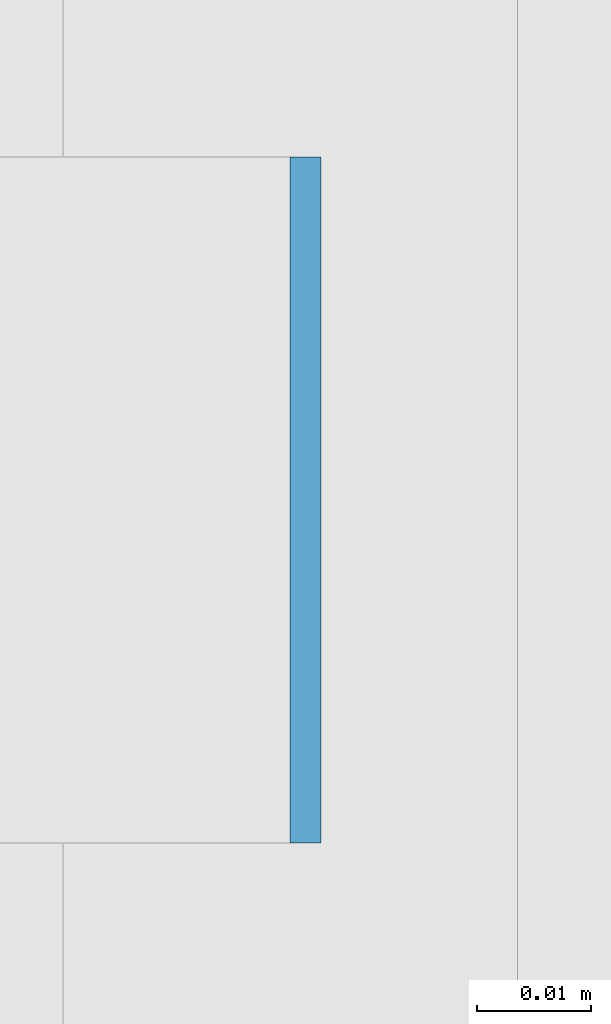
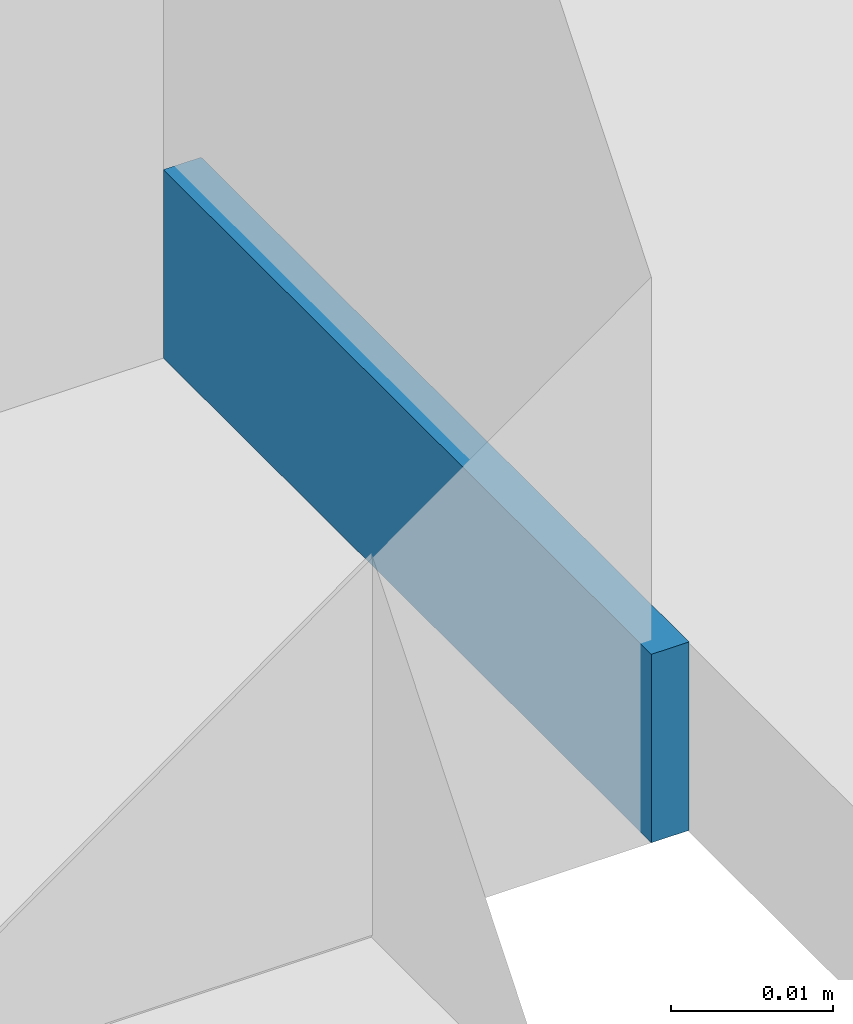
# One storey, part 390 of 646: 1 discrete accessory.
"""IFC4 building model written with IfcOpenShell, lengths in metres."""

from ifc_helpers import new_model, si_unit, direction, frame, origin, origin_2d, place, context, subcontext, project, spatial, rectangle, extrude, material, type_object, element, save


model = new_model("IFC4")

# Units and contexts
model_context = context("Model", 3, precision=1e-05, world=origin(), true_north=direction((0.0, 1.0)))
body_context = subcontext(model_context, "Body", "Model", "MODEL_VIEW")
ifc_project = project(units=[si_unit("LENGTHUNIT", "METRE"), si_unit("AREAUNIT", "SQUARE_METRE"), si_unit("VOLUMEUNIT", "CUBIC_METRE"), si_unit("PLANEANGLEUNIT", "RADIAN"), si_unit("MASSUNIT", "GRAM", prefix="KILO")], contexts=[model_context])

# Site, building, storey
site_placement = place(None, origin())
site = spatial("IfcSite", under=ifc_project, at=site_placement, CompositionType="ELEMENT")
building_placement = place(site_placement, origin())
building = spatial("IfcBuilding", under=site, at=building_placement, Name="Silverbay Arena", CompositionType="ELEMENT")
storey_placement = place(building_placement, frame((0.0, 0.0, 33.5)))
storey = spatial("IfcBuildingStorey", under=building, at=storey_placement, Name="L05", CompositionType="ELEMENT", Elevation=33.5)

# Discrete accessory
ifc_material = material(Name="Steel S355", Category="steel")
discrete_accessory_type = type_object("IfcDiscreteAccessoryType", Name="Steel bracket plate", PredefinedType="BRACKET", material=ifc_material)
discrete_accessory_placement = place(storey_placement, frame((53.871337890625, 113.142822265625, 4.0), z_axis=(0.0, 0.0, 1.0), x_axis=(1.0, 0.0, 0.0)))
element("IfcDiscreteAccessory", 1, at=discrete_accessory_placement, inside=storey, type_object=discrete_accessory_type, Name="Curtain wall packing plate", PredefinedType="BRACKET", context=body_context, shape_type="SweptSolid", body=[
    extrude(rectangle(XDim=0.002685546875, YDim=0.06005859375, at=origin_2d()), origin(), (0.0, 0.0, 1.0), 0.01416015625),
])

save(model, "model.ifc")
